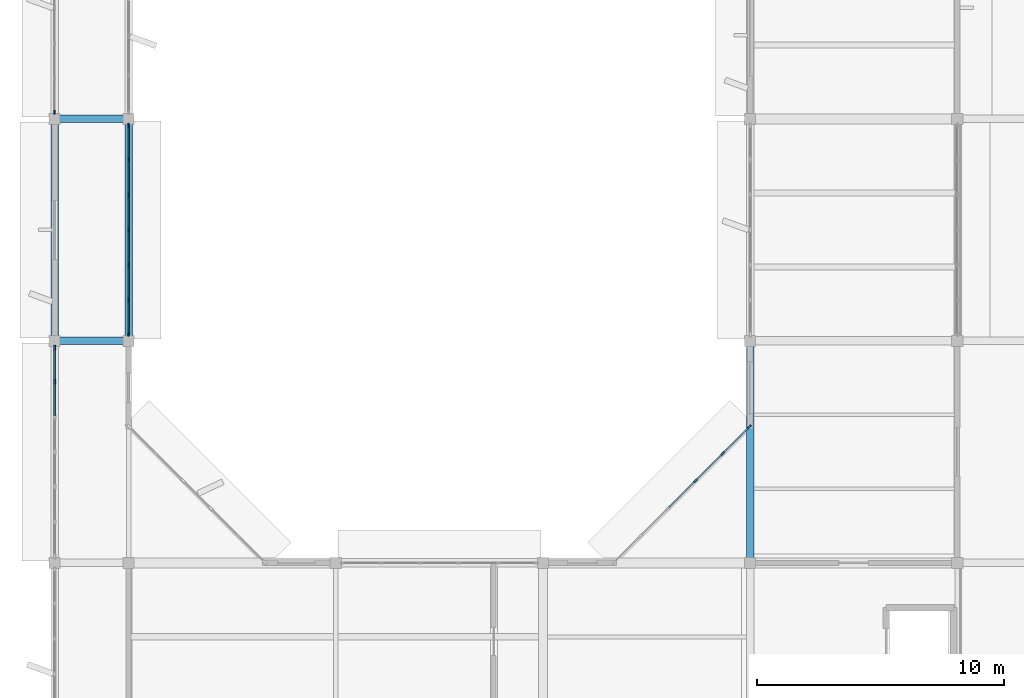
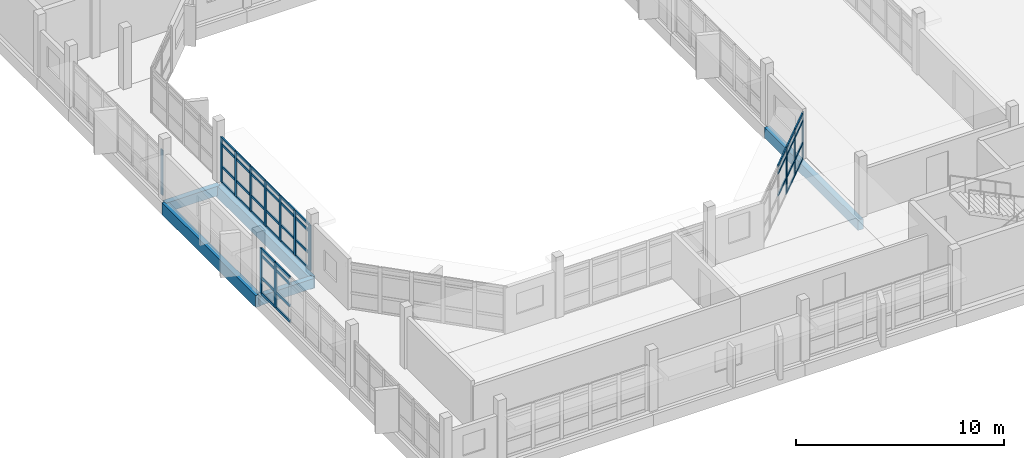
# One storey, part 5 of 42: 56 members, 5 beams, 4 elements without a shape of their own.
"""IFC4 building model written with IfcOpenShell, lengths in metres."""

import ifcopenshell
import ifcopenshell.guid

model = None  # the IFC model being written
_history = None  # IfcOwnerHistory: only IFC2X3 demands one
_inside = {}  # id of a spatial element -> (the spatial element, [elements in it])
_under = {}  # id of a project, library or spatial element -> (it, [spatial elements below it])
_declared = {}  # id of a project -> (the project, [libraries it declares])
_typed = {}  # id of a type object -> (the type object, [elements of that type])
_made_of = {}  # id of a material, layer set ... -> (it, [elements and type objects made of it])


def new_model(schema):
    """Start an empty IFC model of exactly this schema.

    Asked for "IFC4X3", IfcOpenShell would pick the latest addendum, in which some entities
    have other attributes; the version numbers below select the first issue.
    IFC2X3 requires an IfcOwnerHistory on every rooted entity: one is made here for all.
    """
    global model, _history
    if schema == "IFC4X3":
        model = ifcopenshell.file(schema_version=(4, 3, 0, 0))
    else:
        model = ifcopenshell.file(schema=schema)
    _inside.clear()
    _under.clear()
    _declared.clear()
    _typed.clear()
    _made_of.clear()
    _history = None
    if model.schema == "IFC2X3":
        org = make("IfcOrganization", Name="unknown")
        user = make(
            "IfcPersonAndOrganization",
            ThePerson=make("IfcPerson", FamilyName="unknown"),
            TheOrganization=org,
        )
        app = make(
            "IfcApplication",
            ApplicationDeveloper=org,
            Version="unknown",
            ApplicationFullName="unknown",
            ApplicationIdentifier="unknown",
        )
        _history = make(
            "IfcOwnerHistory",
            OwningUser=user,
            OwningApplication=app,
            ChangeAction="ADDED",
            CreationDate=0,
        )
    return model


def make(cls, **values):
    """One entity of the class cls with the attributes given. An attribute that is None is left unset."""
    return model.create_entity(
        cls, **{name: value for name, value in values.items() if value is not None}
    )


def rooted(cls, **values):
    """An entity with a GlobalId (a new one), such as an element, a storey or a relation."""
    return make(cls, GlobalId=ifcopenshell.guid.new(), OwnerHistory=_history, **values)


def si_unit(unit_type, name, prefix=None):
    """IfcSIUnit, for example si_unit("LENGTHUNIT", "METRE", prefix="MILLI")."""
    return make("IfcSIUnit", UnitType=unit_type, Prefix=prefix, Name=name)


def assignment(units):
    """IfcUnitAssignment: the units of a project."""
    return None if units is None else make("IfcUnitAssignment", Units=units)


def point(xyz):
    """IfcCartesianPoint."""
    return None if xyz is None else make("IfcCartesianPoint", Coordinates=xyz)


def direction(xyz):
    """IfcDirection."""
    return None if xyz is None else make("IfcDirection", DirectionRatios=xyz)


def frame(location, z_axis=None, x_axis=None):
    """IfcAxis2Placement3D, a coordinate frame: its origin and axes. An axis left out is left unset."""
    return make(
        "IfcAxis2Placement3D",
        Location=point(location),
        Axis=direction(z_axis),
        RefDirection=direction(x_axis),
    )


def frame_2d(location, x_axis=None):
    """IfcAxis2Placement2D, a coordinate frame in the plane: its origin and x axis."""
    return make(
        "IfcAxis2Placement2D", Location=point(location), RefDirection=direction(x_axis)
    )


def origin():
    """The frame at (0, 0, 0) with its axes left unset."""
    return frame((0.0, 0.0, 0.0))


def origin_2d():
    """The frame at (0, 0) in the plane with its x axis left unset."""
    return frame_2d((0.0, 0.0))


def place(relative_to, where):
    """IfcLocalPlacement: puts the frame where relative to a parent placement (None: the world)."""
    return make(
        "IfcLocalPlacement", PlacementRelTo=relative_to, RelativePlacement=where
    )


def context(
    kind, dimensions, precision=None, world=None, true_north=None, identifier=None
):
    """IfcGeometricRepresentationContext, for example the 3D "Model" context."""
    return make(
        "IfcGeometricRepresentationContext",
        ContextIdentifier=identifier,
        ContextType=kind,
        CoordinateSpaceDimension=dimensions,
        Precision=precision,
        WorldCoordinateSystem=world,
        TrueNorth=true_north,
    )


def subcontext(parent, identifier, kind, view, scale=None):
    """IfcGeometricRepresentationSubContext, for example "Body" below "Model"."""
    return make(
        "IfcGeometricRepresentationSubContext",
        ContextIdentifier=identifier,
        ContextType=kind,
        ParentContext=parent,
        TargetScale=scale,
        TargetView=view,
    )


def project(units=None, contexts=None):
    """IfcProject with its units and contexts."""
    return rooted(
        "IfcProject",
        Name="project",
        RepresentationContexts=contexts,
        UnitsInContext=assignment(units),
    )


def spatial(cls, under=None, at=None, **own):
    """A site, building, storey or space (cls), placed at a placement, below another one or the project."""
    s = rooted(cls, ObjectPlacement=at, **own)
    if under is not None:
        _under.setdefault(under.id(), (under, []))[1].append(s)
    return s


def profile(cls, at=None, kind="AREA", **sizes):
    """A parametric profile (cls). Its sizes go by their IFC names, for example OverallWidth=200.0."""
    return make(cls, ProfileType=kind, Position=at, **sizes)


def rectangle(**sizes):
    """IfcRectangleProfileDef."""
    return profile("IfcRectangleProfileDef", **sizes)


def extrude(swept, where, along, depth):
    """IfcExtrudedAreaSolid: the profile swept, set in the frame where, extruded along a direction by depth."""
    return make(
        "IfcExtrudedAreaSolid",
        SweptArea=swept,
        Position=where,
        ExtrudedDirection=direction(along),
        Depth=depth,
    )


def shape(context_of_items, identifier, shape_type, items):
    """IfcShapeRepresentation: the items that make up one representation, for example the "Body"."""
    return make(
        "IfcShapeRepresentation",
        ContextOfItems=context_of_items,
        RepresentationIdentifier=identifier,
        RepresentationType=shape_type,
        Items=items,
    )


def material(Name=None, Category=None):
    """IfcMaterial."""
    return make("IfcMaterial", Name=Name, Category=Category)


def material_profile(
    of_material, cross_section, Name=None, Category=None, Priority=None
):
    """IfcMaterialProfile: a cross section and its material."""
    return make(
        "IfcMaterialProfile",
        Name=Name,
        Material=of_material,
        Profile=cross_section,
        Priority=Priority,
        Category=Category,
    )


def profile_set(profiles, Name=None, composite=None):
    """IfcMaterialProfileSet."""
    return make(
        "IfcMaterialProfileSet",
        Name=Name,
        MaterialProfiles=profiles,
        CompositeProfile=composite,
    )


def made_of(thing, what):
    """Note that an element or type object is made of a material, layer set ...; save() writes the relation."""
    if what is not None:
        _made_of.setdefault(what.id(), (what, []))[1].append(thing)
    return thing


def type_object(cls, material=None, **own):
    """A type object (cls), such as IfcWallType, which elements share."""
    return made_of(rooted(cls, **own), material)


def element(
    cls,
    number,
    at=None,
    inside=None,
    cuts=None,
    type_object=None,
    material=None,
    context=None,
    identifier="Body",
    shape_type=None,
    held_by="IfcProductDefinitionShape",
    body=None,
    shapes=None,
    **own,
):
    """One element of the class cls, such as IfcWall. Its Tag is "e" and its number.

    at: its placement. inside: the storey or other place that contains it. cuts: it is an
    opening in that element (IfcRelVoidsElement). A single representation is given by context,
    identifier, shape_type and body (its items); several are given by shapes. held_by: the class
    of the entity that holds the representations. save() writes the other relations.
    """
    e = rooted(cls, Tag="e%d" % number, ObjectPlacement=at, **own)
    if body is not None:
        shapes = [shape(context, identifier, shape_type, body)]
    if shapes is not None:
        e.Representation = make(held_by, Representations=shapes)
    if inside is not None:
        _inside.setdefault(inside.id(), (inside, []))[1].append(e)
    if cuts is not None:
        rooted(
            "IfcRelVoidsElement", RelatingBuildingElement=cuts, RelatedOpeningElement=e
        )
    if type_object is not None:
        _typed.setdefault(type_object.id(), (type_object, []))[1].append(e)
    return made_of(e, material)


def aggregate(whole, parts):
    """IfcRelAggregates: a whole, such as a stair, and the parts it consists of."""
    return rooted("IfcRelAggregates", RelatingObject=whole, RelatedObjects=parts)


def save(model, path):
    """Write the relations noted so far, then the file.

    IfcRelAggregates (storeys below a building ...), IfcRelContainedInSpatialStructure (elements
    in a storey), IfcRelDefinesByType, IfcRelAssociatesMaterial and IfcRelDeclares: one each for
    every whole, place, type object, material and project.
    """
    for whole, parts in _under.values():
        aggregate(whole, parts)
    for where, things in _inside.values():
        rooted(
            "IfcRelContainedInSpatialStructure",
            RelatedElements=things,
            RelatingStructure=where,
        )
    for kind, things in _typed.values():
        rooted("IfcRelDefinesByType", RelatedObjects=things, RelatingType=kind)
    for what, things in _made_of.values():
        rooted("IfcRelAssociatesMaterial", RelatedObjects=things, RelatingMaterial=what)
    for by, libraries in _declared.values():
        rooted("IfcRelDeclares", RelatingContext=by, RelatedDefinitions=libraries)
    model.write(path)


model = new_model("IFC4")

# Units and contexts
model_context = context("Model", 3, precision=1e-05, world=origin(), true_north=direction((0.0, 1.0)))
body_context = subcontext(model_context, "Body", "Model", "MODEL_VIEW")
ifc_project = project(units=[si_unit("LENGTHUNIT", "METRE"), si_unit("AREAUNIT", "SQUARE_METRE"), si_unit("VOLUMEUNIT", "CUBIC_METRE"), si_unit("PLANEANGLEUNIT", "RADIAN"), si_unit("MASSUNIT", "GRAM", prefix="KILO")], contexts=[model_context])

# Site, building, storey
site_placement = place(None, origin())
site = spatial("IfcSite", under=ifc_project, at=site_placement, CompositionType="ELEMENT")
building_placement = place(site_placement, origin())
building = spatial("IfcBuilding", under=site, at=building_placement, Name="Vanh Quang Courtyard School", CompositionType="ELEMENT")
storey_placement = place(building_placement, frame((0.0, 0.0, 15.0)))
storey = spatial("IfcBuildingStorey", under=building, at=storey_placement, Name="L04", CompositionType="ELEMENT", Elevation=15.0)

# Beams
ifc_material_1 = material(Name="Concrete C35/45", Category="concrete")
ifc_material_profile_1 = material_profile(ifc_material_1, rectangle(XDim=0.300048828125, YDim=0.550048828125, at=origin_2d()), Name="RC-BM 300x550")
ifc_profile_set_1 = profile_set([ifc_material_profile_1], Name="Concrete C35/45")
beam_type_1 = type_object("IfcBeamType", Name="BM-RC-300x550", PredefinedType="BEAM", material=ifc_profile_set_1)
for number, where, z_axis, x_axis, name in (
    (1, (37.800048828125, 50.39990234375, -0.534912109375), (1.0, 0.0, 0.0), (0.0, 1.0, 0.0), "Beam B-07 (L04)"),
    (2, (37.800048828125, 59.39990234375, -0.534912109375), (1.0, 0.0, 0.0), (0.0, 1.0, 0.0), "Beam B-07 (L04)"),
):
    element("IfcBeam", number, at=place(storey_placement, frame(where, z_axis=z_axis, x_axis=x_axis)), inside=storey, type_object=beam_type_1, Name=name, PredefinedType="BEAM", context=body_context, shape_type="SweptSolid", body=[
        extrude(rectangle(XDim=0.300048828125, YDim=0.550048828125, at=origin_2d()), origin(), (0.0, 0.0, 1.0), 3.0),
    ])
ifc_material_profile_2 = material_profile(ifc_material_1, rectangle(XDim=0.300048828125, YDim=0.60009765625, at=origin_2d()), Name="RC-BM 300x600")
ifc_profile_set_2 = profile_set([ifc_material_profile_2], Name="Concrete C35/45")
beam_type_2 = type_object("IfcBeamType", Name="BM-RC-300x600", PredefinedType="BEAM", material=ifc_profile_set_2)
beam_placement = place(storey_placement, frame((66.0, 41.39990234375, -0.56005859375), z_axis=(0.0, 1.0, 0.0), x_axis=(-1.0, 0.0, 0.0)))
element("IfcBeam", 3, at=beam_placement, inside=storey, type_object=beam_type_2, Name="Beam B-06 (L04)", PredefinedType="BEAM", context=body_context, shape_type="SweptSolid", body=[
    extrude(rectangle(XDim=0.300048828125, YDim=0.60009765625, at=origin_2d()), origin(), (0.0, 0.0, 1.0), 9.0),
])
ifc_material_profile_3 = material_profile(ifc_material_1, rectangle(XDim=0.300048828125, YDim=0.699951171875, at=origin_2d()), Name="RC-SP 300x700")
ifc_profile_set_3 = profile_set([ifc_material_profile_3], Name="Concrete C35/45")
beam_type_3 = type_object("IfcBeamType", Name="BM-SP-300x700", PredefinedType="SPANDREL", material=ifc_profile_set_3)
for number, where, z_axis, x_axis, name in (
    (4, (37.800048828125, 50.39990234375, -0.610107421875), (0.0, 1.0, 0.0), (-1.0, 0.0, 0.0), "Beam BS-01 (L04)"),
    (5, (40.800048828125, 50.39990234375, -0.610107421875), (0.0, 1.0, 0.0), (-1.0, 0.0, 0.0), "Beam BS-01 (L04)"),
):
    element("IfcBeam", number, at=place(storey_placement, frame(where, z_axis=z_axis, x_axis=x_axis)), inside=storey, type_object=beam_type_3, Name=name, PredefinedType="SPANDREL", context=body_context, shape_type="SweptSolid", body=[
        extrude(rectangle(XDim=0.300048828125, YDim=0.699951171875, at=origin_2d()), origin(), (0.0, 0.0, 1.0), 9.0),
    ])

# Curtain wall, member
ifc_material_2 = material(Name="Thermally broken aluminium unitised curtain wall", Category="aluminium")
curtain_wall_type_1 = type_object("IfcCurtainWallType", Name="CW-SYS-50", PredefinedType="NOTDEFINED", material=ifc_material_2)
curtain_wall_1_placement = place(storey_placement, origin())
curtain_wall_1 = element("IfcCurtainWall", 6, at=curtain_wall_1_placement, inside=storey, type_object=curtain_wall_type_1, Name="Curtain Wall CW-50 (L04)", PredefinedType="NOTDEFINED")
ifc_material_3 = material(Name="Anodised aluminium 6063-T6", Category="aluminium")
ifc_material_profile_4 = material_profile(ifc_material_3, rectangle(XDim=0.06005859375, YDim=0.159912109375, at=origin_2d()), Name="ALU-MUL 60x160")
ifc_profile_set_4 = profile_set([ifc_material_profile_4], Name="Anodised aluminium 6063-T6")
member_type_1 = type_object("IfcMemberType", Name="CW-MUL-60x160", PredefinedType="MULLION", material=ifc_profile_set_4)
member_1_placement = place(storey_placement, frame((37.800048828125, 59.6630859375, 0.0), z_axis=(0.0, 0.0, 1.0), x_axis=(-1.0, 0.0, 0.0)))
member_1 = element("IfcMember", 7, at=member_1_placement, type_object=member_type_1, Name="CW-50 mullion 1", PredefinedType="MULLION", context=body_context, shape_type="SweptSolid", body=[
    extrude(rectangle(XDim=0.06005859375, YDim=0.159912109375, at=origin_2d()), origin(), (0.0, 0.0, 1.0), 2.64990234375),
])
aggregate(curtain_wall_1, [member_1])

# Curtain wall, members
curtain_wall_2_placement = place(storey_placement, origin())
curtain_wall_2 = element("IfcCurtainWall", 8, at=curtain_wall_2_placement, inside=storey, type_object=curtain_wall_type_1, Name="Curtain Wall CW-50 (L04)", PredefinedType="NOTDEFINED")
ifc_material_profile_5 = material_profile(ifc_material_3, rectangle(XDim=0.070068359375, YDim=0.179931640625, at=origin_2d()), Name="ALU-MUL 70x180")
ifc_profile_set_5 = profile_set([ifc_material_profile_5], Name="Anodised aluminium 6063-T6")
member_type_2 = type_object("IfcMemberType", Name="CW-MUL-70x180", PredefinedType="MULLION", material=ifc_profile_set_5)
member_2_placement = place(storey_placement, frame((40.800048828125, 59.132080078125, 0.0), z_axis=(0.0, 0.0, 1.0), x_axis=(1.0, 0.0, 0.0)))
member_2 = element("IfcMember", 9, at=member_2_placement, type_object=member_type_2, Name="CW-50 mullion 1", PredefinedType="MULLION", context=body_context, shape_type="SweptSolid", body=[
    extrude(rectangle(XDim=0.070068359375, YDim=0.179931640625, at=origin_2d()), origin(), (0.0, 0.0, 1.0), 2.64990234375),
])
member_3_placement = place(storey_placement, frame((40.800048828125, 57.74462890625, 0.0), z_axis=(0.0, 0.0, 1.0), x_axis=(1.0, 0.0, 0.0)))
member_3 = element("IfcMember", 10, at=member_3_placement, type_object=member_type_2, Name="CW-50 mullion 2", PredefinedType="MULLION", context=body_context, shape_type="SweptSolid", body=[
    extrude(rectangle(XDim=0.070068359375, YDim=0.179931640625, at=origin_2d()), origin(), (0.0, 0.0, 1.0), 2.64990234375),
])
member_4_placement = place(storey_placement, frame((40.800048828125, 56.322265625, 0.0), z_axis=(0.0, 0.0, 1.0), x_axis=(1.0, 0.0, 0.0)))
member_4 = element("IfcMember", 11, at=member_4_placement, type_object=member_type_2, Name="CW-50 mullion 3", PredefinedType="MULLION", context=body_context, shape_type="SweptSolid", body=[
    extrude(rectangle(XDim=0.070068359375, YDim=0.179931640625, at=origin_2d()), origin(), (0.0, 0.0, 1.0), 2.64990234375),
])
member_5_placement = place(storey_placement, frame((40.800048828125, 54.89990234375, 0.0), z_axis=(0.0, 0.0, 1.0), x_axis=(1.0, 0.0, 0.0)))
member_5 = element("IfcMember", 12, at=member_5_placement, type_object=member_type_2, Name="CW-50 mullion 4", PredefinedType="MULLION", context=body_context, shape_type="SweptSolid", body=[
    extrude(rectangle(XDim=0.070068359375, YDim=0.179931640625, at=origin_2d()), origin(), (0.0, 0.0, 1.0), 2.64990234375),
])
member_6_placement = place(storey_placement, frame((40.800048828125, 53.477783203125, 0.0), z_axis=(0.0, 0.0, 1.0), x_axis=(1.0, 0.0, 0.0)))
member_6 = element("IfcMember", 13, at=member_6_placement, type_object=member_type_2, Name="CW-50 mullion 5", PredefinedType="MULLION", context=body_context, shape_type="SweptSolid", body=[
    extrude(rectangle(XDim=0.070068359375, YDim=0.179931640625, at=origin_2d()), origin(), (0.0, 0.0, 1.0), 2.64990234375),
])
member_7_placement = place(storey_placement, frame((40.800048828125, 52.055419921875, 0.0), z_axis=(0.0, 0.0, 1.0), x_axis=(1.0, 0.0, 0.0)))
member_7 = element("IfcMember", 14, at=member_7_placement, type_object=member_type_2, Name="CW-50 mullion 6", PredefinedType="MULLION", context=body_context, shape_type="SweptSolid", body=[
    extrude(rectangle(XDim=0.070068359375, YDim=0.179931640625, at=origin_2d()), origin(), (0.0, 0.0, 1.0), 2.64990234375),
])
member_8_placement = place(storey_placement, frame((40.800048828125, 50.66796875, 0.0), z_axis=(0.0, 0.0, 1.0), x_axis=(1.0, 0.0, 0.0)))
member_8 = element("IfcMember", 15, at=member_8_placement, type_object=member_type_2, Name="CW-50 mullion 7", PredefinedType="MULLION", context=body_context, shape_type="SweptSolid", body=[
    extrude(rectangle(XDim=0.070068359375, YDim=0.179931640625, at=origin_2d()), origin(), (0.0, 0.0, 1.0), 2.64990234375),
])

curtain_wall_type_2 = type_object("IfcCurtainWallType", Name="CW-SYS-51", PredefinedType="NOTDEFINED", material=ifc_material_2)
curtain_wall_3_placement = place(storey_placement, origin())
curtain_wall_3 = element("IfcCurtainWall", 16, at=curtain_wall_3_placement, inside=storey, type_object=curtain_wall_type_2, Name="Curtain Wall CW-51 (L04)", PredefinedType="NOTDEFINED")
member_9_placement = place(storey_placement, frame((63.782470703125, 44.726318359375, 0.0), z_axis=(0.0, 0.0, 1.0), x_axis=(-0.707106781187, 0.707106781187, 0.0)))
member_9 = element("IfcMember", 17, at=member_9_placement, type_object=member_type_2, Name="CW-51 mullion 4", PredefinedType="MULLION", context=body_context, shape_type="SweptSolid", body=[
    extrude(rectangle(XDim=0.070068359375, YDim=0.179931640625, at=origin_2d()), origin(), (0.0, 0.0, 1.0), 2.699951171875),
])
member_10_placement = place(storey_placement, frame((64.89111328125, 45.835205078125, 0.0), z_axis=(0.0, 0.0, 1.0), x_axis=(-0.707106781187, 0.707106781187, 0.0)))
member_10 = element("IfcMember", 18, at=member_10_placement, type_object=member_type_2, Name="CW-51 mullion 5", PredefinedType="MULLION", context=body_context, shape_type="SweptSolid", body=[
    extrude(rectangle(XDim=0.070068359375, YDim=0.179931640625, at=origin_2d()), origin(), (0.0, 0.0, 1.0), 2.699951171875),
])
member_11_placement = place(storey_placement, frame((65.975341796875, 46.919189453125, 0.0), z_axis=(0.0, 0.0, 1.0), x_axis=(-0.707106781187, 0.707106781187, 0.0)))
member_11 = element("IfcMember", 19, at=member_11_placement, type_object=member_type_2, Name="CW-51 mullion 6", PredefinedType="MULLION", context=body_context, shape_type="SweptSolid", body=[
    extrude(rectangle(XDim=0.070068359375, YDim=0.179931640625, at=origin_2d()), origin(), (0.0, 0.0, 1.0), 2.699951171875),
])

curtain_wall_4_placement = place(storey_placement, origin())
curtain_wall_4 = element("IfcCurtainWall", 20, at=curtain_wall_4_placement, inside=storey, type_object=curtain_wall_type_1, Name="Curtain Wall CW-50 (L04)", PredefinedType="NOTDEFINED")
ifc_material_profile_6 = material_profile(ifc_material_3, rectangle(XDim=0.080078125, YDim=0.199951171875, at=origin_2d()), Name="ALU-MUL 80x200")
ifc_profile_set_6 = profile_set([ifc_material_profile_6], Name="Anodised aluminium 6063-T6")
member_type_3 = type_object("IfcMemberType", Name="CW-MUL-80x200", PredefinedType="MULLION", material=ifc_profile_set_6)
member_12_placement = place(storey_placement, frame((37.800048828125, 48.74462890625, 0.0), z_axis=(0.0, 0.0, 1.0), x_axis=(-1.0, 0.0, 0.0)))
member_12 = element("IfcMember", 21, at=member_12_placement, type_object=member_type_3, Name="CW-50 mullion 6", PredefinedType="MULLION", context=body_context, shape_type="SweptSolid", body=[
    extrude(rectangle(XDim=0.080078125, YDim=0.199951171875, at=origin_2d()), origin(), (0.0, 0.0, 1.0), 2.64990234375),
])
member_13_placement = place(storey_placement, frame((37.800048828125, 50.126953125, 0.0), z_axis=(0.0, 0.0, 1.0), x_axis=(-1.0, 0.0, 0.0)))
member_13 = element("IfcMember", 22, at=member_13_placement, type_object=member_type_3, Name="CW-50 mullion 7", PredefinedType="MULLION", context=body_context, shape_type="SweptSolid", body=[
    extrude(rectangle(XDim=0.080078125, YDim=0.199951171875, at=origin_2d()), origin(), (0.0, 0.0, 1.0), 2.64990234375),
])

# Member
ifc_material_profile_7 = material_profile(ifc_material_3, rectangle(XDim=0.070068359375, YDim=0.139892578125, at=origin_2d()), Name="ALU-TRN 70x140")
ifc_profile_set_7 = profile_set([ifc_material_profile_7], Name="Anodised aluminium 6063-T6")
member_type_4 = type_object("IfcMemberType", Name="CW-TRN-70x140", PredefinedType="USERDEFINED", material=ifc_profile_set_7)
member_14_placement = place(storey_placement, frame((40.800048828125, 59.096923828125, 0.034912109375), z_axis=(0.0, -1.0, 0.0), x_axis=(1.0, 0.0, 0.0)))
member_14 = element("IfcMember", 23, at=member_14_placement, type_object=member_type_4, Name="CW-50 transom 1.1", ObjectType="TRANSOM", PredefinedType="USERDEFINED", context=body_context, shape_type="SweptSolid", body=[
    extrude(rectangle(XDim=0.070068359375, YDim=0.139892578125, at=origin_2d()), origin(), (0.0, 0.0, 1.0), 1.317138671875),
])

member_15_placement = place(storey_placement, frame((40.800048828125, 59.096923828125, 0.949951171875), z_axis=(0.0, -1.0, 0.0), x_axis=(1.0, 0.0, 0.0)))
member_15 = element("IfcMember", 24, at=member_15_placement, type_object=member_type_4, Name="CW-50 transom 1.2", ObjectType="TRANSOM", PredefinedType="USERDEFINED", context=body_context, shape_type="SweptSolid", body=[
    extrude(rectangle(XDim=0.070068359375, YDim=0.139892578125, at=origin_2d()), origin(), (0.0, 0.0, 1.0), 1.317138671875),
])

member_16_placement = place(storey_placement, frame((40.800048828125, 59.096923828125, 2.25), z_axis=(0.0, -1.0, 0.0), x_axis=(1.0, 0.0, 0.0)))
member_16 = element("IfcMember", 25, at=member_16_placement, type_object=member_type_4, Name="CW-50 transom 1.3", ObjectType="TRANSOM", PredefinedType="USERDEFINED", context=body_context, shape_type="SweptSolid", body=[
    extrude(rectangle(XDim=0.070068359375, YDim=0.139892578125, at=origin_2d()), origin(), (0.0, 0.0, 1.0), 1.317138671875),
])

member_17_placement = place(storey_placement, frame((40.800048828125, 59.096923828125, 2.614990234375), z_axis=(0.0, -1.0, 0.0), x_axis=(1.0, 0.0, 0.0)))
member_17 = element("IfcMember", 26, at=member_17_placement, type_object=member_type_4, Name="CW-50 transom 1.4", ObjectType="TRANSOM", PredefinedType="USERDEFINED", context=body_context, shape_type="SweptSolid", body=[
    extrude(rectangle(XDim=0.070068359375, YDim=0.139892578125, at=origin_2d()), origin(), (0.0, 0.0, 1.0), 1.317138671875),
])

member_18_placement = place(storey_placement, frame((40.800048828125, 57.709716796875, 0.034912109375), z_axis=(0.0, -1.0, 0.0), x_axis=(1.0, 0.0, 0.0)))
member_18 = element("IfcMember", 27, at=member_18_placement, type_object=member_type_4, Name="CW-50 transom 2.1", ObjectType="TRANSOM", PredefinedType="USERDEFINED", context=body_context, shape_type="SweptSolid", body=[
    extrude(rectangle(XDim=0.070068359375, YDim=0.139892578125, at=origin_2d()), origin(), (0.0, 0.0, 1.0), 1.352294921875),
])

member_19_placement = place(storey_placement, frame((40.800048828125, 57.709716796875, 0.949951171875), z_axis=(0.0, -1.0, 0.0), x_axis=(1.0, 0.0, 0.0)))
member_19 = element("IfcMember", 28, at=member_19_placement, type_object=member_type_4, Name="CW-50 transom 2.2", ObjectType="TRANSOM", PredefinedType="USERDEFINED", context=body_context, shape_type="SweptSolid", body=[
    extrude(rectangle(XDim=0.070068359375, YDim=0.139892578125, at=origin_2d()), origin(), (0.0, 0.0, 1.0), 1.352294921875),
])

member_20_placement = place(storey_placement, frame((40.800048828125, 57.709716796875, 2.25), z_axis=(0.0, -1.0, 0.0), x_axis=(1.0, 0.0, 0.0)))
member_20 = element("IfcMember", 29, at=member_20_placement, type_object=member_type_4, Name="CW-50 transom 2.3", ObjectType="TRANSOM", PredefinedType="USERDEFINED", context=body_context, shape_type="SweptSolid", body=[
    extrude(rectangle(XDim=0.070068359375, YDim=0.139892578125, at=origin_2d()), origin(), (0.0, 0.0, 1.0), 1.352294921875),
])

member_21_placement = place(storey_placement, frame((40.800048828125, 57.709716796875, 2.614990234375), z_axis=(0.0, -1.0, 0.0), x_axis=(1.0, 0.0, 0.0)))
member_21 = element("IfcMember", 30, at=member_21_placement, type_object=member_type_4, Name="CW-50 transom 2.4", ObjectType="TRANSOM", PredefinedType="USERDEFINED", context=body_context, shape_type="SweptSolid", body=[
    extrude(rectangle(XDim=0.070068359375, YDim=0.139892578125, at=origin_2d()), origin(), (0.0, 0.0, 1.0), 1.352294921875),
])

member_22_placement = place(storey_placement, frame((40.800048828125, 56.287353515625, 0.034912109375), z_axis=(0.0, -1.0, 0.0), x_axis=(1.0, 0.0, 0.0)))
member_22 = element("IfcMember", 31, at=member_22_placement, type_object=member_type_4, Name="CW-50 transom 3.1", ObjectType="TRANSOM", PredefinedType="USERDEFINED", context=body_context, shape_type="SweptSolid", body=[
    extrude(rectangle(XDim=0.070068359375, YDim=0.139892578125, at=origin_2d()), origin(), (0.0, 0.0, 1.0), 1.352294921875),
])

member_23_placement = place(storey_placement, frame((40.800048828125, 56.287353515625, 0.949951171875), z_axis=(0.0, -1.0, 0.0), x_axis=(1.0, 0.0, 0.0)))
member_23 = element("IfcMember", 32, at=member_23_placement, type_object=member_type_4, Name="CW-50 transom 3.2", ObjectType="TRANSOM", PredefinedType="USERDEFINED", context=body_context, shape_type="SweptSolid", body=[
    extrude(rectangle(XDim=0.070068359375, YDim=0.139892578125, at=origin_2d()), origin(), (0.0, 0.0, 1.0), 1.352294921875),
])

member_24_placement = place(storey_placement, frame((40.800048828125, 56.287353515625, 2.25), z_axis=(0.0, -1.0, 0.0), x_axis=(1.0, 0.0, 0.0)))
member_24 = element("IfcMember", 33, at=member_24_placement, type_object=member_type_4, Name="CW-50 transom 3.3", ObjectType="TRANSOM", PredefinedType="USERDEFINED", context=body_context, shape_type="SweptSolid", body=[
    extrude(rectangle(XDim=0.070068359375, YDim=0.139892578125, at=origin_2d()), origin(), (0.0, 0.0, 1.0), 1.352294921875),
])

member_25_placement = place(storey_placement, frame((40.800048828125, 56.287353515625, 2.614990234375), z_axis=(0.0, -1.0, 0.0), x_axis=(1.0, 0.0, 0.0)))
member_25 = element("IfcMember", 34, at=member_25_placement, type_object=member_type_4, Name="CW-50 transom 3.4", ObjectType="TRANSOM", PredefinedType="USERDEFINED", context=body_context, shape_type="SweptSolid", body=[
    extrude(rectangle(XDim=0.070068359375, YDim=0.139892578125, at=origin_2d()), origin(), (0.0, 0.0, 1.0), 1.352294921875),
])

member_26_placement = place(storey_placement, frame((40.800048828125, 54.864990234375, 0.034912109375), z_axis=(0.0, -1.0, 0.0), x_axis=(1.0, 0.0, 0.0)))
member_26 = element("IfcMember", 35, at=member_26_placement, type_object=member_type_4, Name="CW-50 transom 4.1", ObjectType="TRANSOM", PredefinedType="USERDEFINED", context=body_context, shape_type="SweptSolid", body=[
    extrude(rectangle(XDim=0.070068359375, YDim=0.139892578125, at=origin_2d()), origin(), (0.0, 0.0, 1.0), 1.352294921875),
])

member_27_placement = place(storey_placement, frame((40.800048828125, 54.864990234375, 0.949951171875), z_axis=(0.0, -1.0, 0.0), x_axis=(1.0, 0.0, 0.0)))
member_27 = element("IfcMember", 36, at=member_27_placement, type_object=member_type_4, Name="CW-50 transom 4.2", ObjectType="TRANSOM", PredefinedType="USERDEFINED", context=body_context, shape_type="SweptSolid", body=[
    extrude(rectangle(XDim=0.070068359375, YDim=0.139892578125, at=origin_2d()), origin(), (0.0, 0.0, 1.0), 1.352294921875),
])

member_28_placement = place(storey_placement, frame((40.800048828125, 54.864990234375, 2.25), z_axis=(0.0, -1.0, 0.0), x_axis=(1.0, 0.0, 0.0)))
member_28 = element("IfcMember", 37, at=member_28_placement, type_object=member_type_4, Name="CW-50 transom 4.3", ObjectType="TRANSOM", PredefinedType="USERDEFINED", context=body_context, shape_type="SweptSolid", body=[
    extrude(rectangle(XDim=0.070068359375, YDim=0.139892578125, at=origin_2d()), origin(), (0.0, 0.0, 1.0), 1.352294921875),
])

member_29_placement = place(storey_placement, frame((40.800048828125, 54.864990234375, 2.614990234375), z_axis=(0.0, -1.0, 0.0), x_axis=(1.0, 0.0, 0.0)))
member_29 = element("IfcMember", 38, at=member_29_placement, type_object=member_type_4, Name="CW-50 transom 4.4", ObjectType="TRANSOM", PredefinedType="USERDEFINED", context=body_context, shape_type="SweptSolid", body=[
    extrude(rectangle(XDim=0.070068359375, YDim=0.139892578125, at=origin_2d()), origin(), (0.0, 0.0, 1.0), 1.352294921875),
])

member_30_placement = place(storey_placement, frame((40.800048828125, 53.442626953125, 0.034912109375), z_axis=(0.0, -1.0, 0.0), x_axis=(1.0, 0.0, 0.0)))
member_30 = element("IfcMember", 39, at=member_30_placement, type_object=member_type_4, Name="CW-50 transom 5.1", ObjectType="TRANSOM", PredefinedType="USERDEFINED", context=body_context, shape_type="SweptSolid", body=[
    extrude(rectangle(XDim=0.070068359375, YDim=0.139892578125, at=origin_2d()), origin(), (0.0, 0.0, 1.0), 1.352294921875),
])

member_31_placement = place(storey_placement, frame((40.800048828125, 53.442626953125, 0.949951171875), z_axis=(0.0, -1.0, 0.0), x_axis=(1.0, 0.0, 0.0)))
member_31 = element("IfcMember", 40, at=member_31_placement, type_object=member_type_4, Name="CW-50 transom 5.2", ObjectType="TRANSOM", PredefinedType="USERDEFINED", context=body_context, shape_type="SweptSolid", body=[
    extrude(rectangle(XDim=0.070068359375, YDim=0.139892578125, at=origin_2d()), origin(), (0.0, 0.0, 1.0), 1.352294921875),
])

member_32_placement = place(storey_placement, frame((40.800048828125, 53.442626953125, 2.25), z_axis=(0.0, -1.0, 0.0), x_axis=(1.0, 0.0, 0.0)))
member_32 = element("IfcMember", 41, at=member_32_placement, type_object=member_type_4, Name="CW-50 transom 5.3", ObjectType="TRANSOM", PredefinedType="USERDEFINED", context=body_context, shape_type="SweptSolid", body=[
    extrude(rectangle(XDim=0.070068359375, YDim=0.139892578125, at=origin_2d()), origin(), (0.0, 0.0, 1.0), 1.352294921875),
])

member_33_placement = place(storey_placement, frame((40.800048828125, 53.442626953125, 2.614990234375), z_axis=(0.0, -1.0, 0.0), x_axis=(1.0, 0.0, 0.0)))
member_33 = element("IfcMember", 42, at=member_33_placement, type_object=member_type_4, Name="CW-50 transom 5.4", ObjectType="TRANSOM", PredefinedType="USERDEFINED", context=body_context, shape_type="SweptSolid", body=[
    extrude(rectangle(XDim=0.070068359375, YDim=0.139892578125, at=origin_2d()), origin(), (0.0, 0.0, 1.0), 1.352294921875),
])

member_34_placement = place(storey_placement, frame((40.800048828125, 52.020263671875, 0.034912109375), z_axis=(0.0, -1.0, 0.0), x_axis=(1.0, 0.0, 0.0)))
member_34 = element("IfcMember", 43, at=member_34_placement, type_object=member_type_4, Name="CW-50 transom 6.1", ObjectType="TRANSOM", PredefinedType="USERDEFINED", context=body_context, shape_type="SweptSolid", body=[
    extrude(rectangle(XDim=0.070068359375, YDim=0.139892578125, at=origin_2d()), origin(), (0.0, 0.0, 1.0), 1.3173828125),
])

member_35_placement = place(storey_placement, frame((40.800048828125, 52.020263671875, 0.949951171875), z_axis=(0.0, -1.0, 0.0), x_axis=(1.0, 0.0, 0.0)))
member_35 = element("IfcMember", 44, at=member_35_placement, type_object=member_type_4, Name="CW-50 transom 6.2", ObjectType="TRANSOM", PredefinedType="USERDEFINED", context=body_context, shape_type="SweptSolid", body=[
    extrude(rectangle(XDim=0.070068359375, YDim=0.139892578125, at=origin_2d()), origin(), (0.0, 0.0, 1.0), 1.3173828125),
])

member_36_placement = place(storey_placement, frame((40.800048828125, 52.020263671875, 2.25), z_axis=(0.0, -1.0, 0.0), x_axis=(1.0, 0.0, 0.0)))
member_36 = element("IfcMember", 45, at=member_36_placement, type_object=member_type_4, Name="CW-50 transom 6.3", ObjectType="TRANSOM", PredefinedType="USERDEFINED", context=body_context, shape_type="SweptSolid", body=[
    extrude(rectangle(XDim=0.070068359375, YDim=0.139892578125, at=origin_2d()), origin(), (0.0, 0.0, 1.0), 1.3173828125),
])

member_37_placement = place(storey_placement, frame((40.800048828125, 52.020263671875, 2.614990234375), z_axis=(0.0, -1.0, 0.0), x_axis=(1.0, 0.0, 0.0)))
member_37 = element("IfcMember", 46, at=member_37_placement, type_object=member_type_4, Name="CW-50 transom 6.4", ObjectType="TRANSOM", PredefinedType="USERDEFINED", context=body_context, shape_type="SweptSolid", body=[
    extrude(rectangle(XDim=0.070068359375, YDim=0.139892578125, at=origin_2d()), origin(), (0.0, 0.0, 1.0), 1.3173828125),
])

aggregate(curtain_wall_2, [member_2, member_3, member_4, member_5, member_6, member_7, member_8, member_14, member_15, member_16, member_17, member_18, member_19, member_20, member_21, member_22, member_23, member_24, member_25, member_26, member_27, member_28, member_29, member_30, member_31, member_32, member_33, member_34, member_35, member_36, member_37])

member_38_placement = place(storey_placement, frame((62.6982421875, 43.642333984375, 0.949951171875), z_axis=(0.707106781187, 0.707106781187, 0.0), x_axis=(-0.707106781187, 0.707106781187, 0.0)))
member_38 = element("IfcMember", 47, at=member_38_placement, type_object=member_type_4, Name="CW-51 transom 3.2", ObjectType="TRANSOM", PredefinedType="USERDEFINED", context=body_context, shape_type="SweptSolid", body=[
    extrude(rectangle(XDim=0.070068359375, YDim=0.139892578125, at=origin_2d()), origin(), (0.0, 0.0, 1.0), 1.498046875),
])

member_39_placement = place(storey_placement, frame((62.6982421875, 43.642333984375, 2.25), z_axis=(0.707106781187, 0.707106781187, 0.0), x_axis=(-0.707106781187, 0.707106781187, 0.0)))
member_39 = element("IfcMember", 48, at=member_39_placement, type_object=member_type_4, Name="CW-51 transom 3.3", ObjectType="TRANSOM", PredefinedType="USERDEFINED", context=body_context, shape_type="SweptSolid", body=[
    extrude(rectangle(XDim=0.070068359375, YDim=0.139892578125, at=origin_2d()), origin(), (0.0, 0.0, 1.0), 1.498046875),
])

member_40_placement = place(storey_placement, frame((62.6982421875, 43.642333984375, 2.6650390625), z_axis=(0.707106781187, 0.707106781187, 0.0), x_axis=(-0.707106781187, 0.707106781187, 0.0)))
member_40 = element("IfcMember", 49, at=member_40_placement, type_object=member_type_4, Name="CW-51 transom 3.4", ObjectType="TRANSOM", PredefinedType="USERDEFINED", context=body_context, shape_type="SweptSolid", body=[
    extrude(rectangle(XDim=0.070068359375, YDim=0.139892578125, at=origin_2d()), origin(), (0.0, 0.0, 1.0), 1.498046875),
])

member_41_placement = place(storey_placement, frame((63.80712890625, 44.751220703125, 0.034912109375), z_axis=(0.707106781187, 0.707106781187, 0.0), x_axis=(-0.707106781187, 0.707106781187, 0.0)))
member_41 = element("IfcMember", 50, at=member_41_placement, type_object=member_type_4, Name="CW-51 transom 4.1", ObjectType="TRANSOM", PredefinedType="USERDEFINED", context=body_context, shape_type="SweptSolid", body=[
    extrude(rectangle(XDim=0.070068359375, YDim=0.139892578125, at=origin_2d()), origin(), (0.0, 0.0, 1.0), 1.498046875),
])

member_42_placement = place(storey_placement, frame((63.80712890625, 44.751220703125, 0.949951171875), z_axis=(0.707106781187, 0.707106781187, 0.0), x_axis=(-0.707106781187, 0.707106781187, 0.0)))
member_42 = element("IfcMember", 51, at=member_42_placement, type_object=member_type_4, Name="CW-51 transom 4.2", ObjectType="TRANSOM", PredefinedType="USERDEFINED", context=body_context, shape_type="SweptSolid", body=[
    extrude(rectangle(XDim=0.070068359375, YDim=0.139892578125, at=origin_2d()), origin(), (0.0, 0.0, 1.0), 1.498046875),
])

member_43_placement = place(storey_placement, frame((63.80712890625, 44.751220703125, 2.25), z_axis=(0.707106781187, 0.707106781187, 0.0), x_axis=(-0.707106781187, 0.707106781187, 0.0)))
member_43 = element("IfcMember", 52, at=member_43_placement, type_object=member_type_4, Name="CW-51 transom 4.3", ObjectType="TRANSOM", PredefinedType="USERDEFINED", context=body_context, shape_type="SweptSolid", body=[
    extrude(rectangle(XDim=0.070068359375, YDim=0.139892578125, at=origin_2d()), origin(), (0.0, 0.0, 1.0), 1.498046875),
])

member_44_placement = place(storey_placement, frame((63.80712890625, 44.751220703125, 2.6650390625), z_axis=(0.707106781187, 0.707106781187, 0.0), x_axis=(-0.707106781187, 0.707106781187, 0.0)))
member_44 = element("IfcMember", 53, at=member_44_placement, type_object=member_type_4, Name="CW-51 transom 4.4", ObjectType="TRANSOM", PredefinedType="USERDEFINED", context=body_context, shape_type="SweptSolid", body=[
    extrude(rectangle(XDim=0.070068359375, YDim=0.139892578125, at=origin_2d()), origin(), (0.0, 0.0, 1.0), 1.498046875),
])

member_45_placement = place(storey_placement, frame((64.916015625, 45.85986328125, 0.034912109375), z_axis=(0.707023341836, 0.707190210692, 0.0), x_axis=(-0.707190210692, 0.707023341836, 0.0)))
member_45 = element("IfcMember", 54, at=member_45_placement, type_object=member_type_4, Name="CW-51 transom 5.1", ObjectType="TRANSOM", PredefinedType="USERDEFINED", context=body_context, shape_type="SweptSolid", body=[
    extrude(rectangle(XDim=0.070068359375, YDim=0.139892578125, at=origin_2d()), origin(), (0.0, 0.0, 1.0), 1.463134765625),
])

member_46_placement = place(storey_placement, frame((64.916015625, 45.85986328125, 0.949951171875), z_axis=(0.707023341836, 0.707190210692, 0.0), x_axis=(-0.707190210692, 0.707023341836, 0.0)))
member_46 = element("IfcMember", 55, at=member_46_placement, type_object=member_type_4, Name="CW-51 transom 5.2", ObjectType="TRANSOM", PredefinedType="USERDEFINED", context=body_context, shape_type="SweptSolid", body=[
    extrude(rectangle(XDim=0.070068359375, YDim=0.139892578125, at=origin_2d()), origin(), (0.0, 0.0, 1.0), 1.463134765625),
])

member_47_placement = place(storey_placement, frame((64.916015625, 45.85986328125, 2.25), z_axis=(0.707023341836, 0.707190210692, 0.0), x_axis=(-0.707190210692, 0.707023341836, 0.0)))
member_47 = element("IfcMember", 56, at=member_47_placement, type_object=member_type_4, Name="CW-51 transom 5.3", ObjectType="TRANSOM", PredefinedType="USERDEFINED", context=body_context, shape_type="SweptSolid", body=[
    extrude(rectangle(XDim=0.070068359375, YDim=0.139892578125, at=origin_2d()), origin(), (0.0, 0.0, 1.0), 1.463134765625),
])

member_48_placement = place(storey_placement, frame((64.916015625, 45.85986328125, 2.6650390625), z_axis=(0.707023341836, 0.707190210692, 0.0), x_axis=(-0.707190210692, 0.707023341836, 0.0)))
member_48 = element("IfcMember", 57, at=member_48_placement, type_object=member_type_4, Name="CW-51 transom 5.4", ObjectType="TRANSOM", PredefinedType="USERDEFINED", context=body_context, shape_type="SweptSolid", body=[
    extrude(rectangle(XDim=0.070068359375, YDim=0.139892578125, at=origin_2d()), origin(), (0.0, 0.0, 1.0), 1.463134765625),
])

aggregate(curtain_wall_3, [member_9, member_10, member_11, member_38, member_39, member_40, member_41, member_42, member_43, member_44, member_45, member_46, member_47, member_48])

ifc_material_profile_8 = material_profile(ifc_material_3, rectangle(XDim=0.080078125, YDim=0.14990234375, at=origin_2d()), Name="ALU-TRN 80x150")
ifc_profile_set_8 = profile_set([ifc_material_profile_8], Name="Anodised aluminium 6063-T6")
member_type_5 = type_object("IfcMemberType", Name="CW-TRN-80x150", PredefinedType="USERDEFINED", material=ifc_profile_set_8)
member_49_placement = place(storey_placement, frame((37.800048828125, 47.3623046875, 0.0400390625), z_axis=(0.0, 1.0, 0.0), x_axis=(-1.0, 0.0, 0.0)))
member_49 = element("IfcMember", 58, at=member_49_placement, type_object=member_type_5, Name="CW-50 transom 5.1", ObjectType="TRANSOM", PredefinedType="USERDEFINED", context=body_context, shape_type="SweptSolid", body=[
    extrude(rectangle(XDim=0.080078125, YDim=0.14990234375, at=origin_2d()), origin(), (0.0, 0.0, 1.0), 1.34228515625),
])

member_50_placement = place(storey_placement, frame((37.800048828125, 47.3623046875, 0.949951171875), z_axis=(0.0, 1.0, 0.0), x_axis=(-1.0, 0.0, 0.0)))
member_50 = element("IfcMember", 59, at=member_50_placement, type_object=member_type_5, Name="CW-50 transom 5.2", ObjectType="TRANSOM", PredefinedType="USERDEFINED", context=body_context, shape_type="SweptSolid", body=[
    extrude(rectangle(XDim=0.080078125, YDim=0.14990234375, at=origin_2d()), origin(), (0.0, 0.0, 1.0), 1.34228515625),
])

member_51_placement = place(storey_placement, frame((37.800048828125, 47.3623046875, 2.25), z_axis=(0.0, 1.0, 0.0), x_axis=(-1.0, 0.0, 0.0)))
member_51 = element("IfcMember", 60, at=member_51_placement, type_object=member_type_5, Name="CW-50 transom 5.3", ObjectType="TRANSOM", PredefinedType="USERDEFINED", context=body_context, shape_type="SweptSolid", body=[
    extrude(rectangle(XDim=0.080078125, YDim=0.14990234375, at=origin_2d()), origin(), (0.0, 0.0, 1.0), 1.34228515625),
])

member_52_placement = place(storey_placement, frame((37.800048828125, 47.3623046875, 2.610107421875), z_axis=(0.0, 1.0, 0.0), x_axis=(-1.0, 0.0, 0.0)))
member_52 = element("IfcMember", 61, at=member_52_placement, type_object=member_type_5, Name="CW-50 transom 5.4", ObjectType="TRANSOM", PredefinedType="USERDEFINED", context=body_context, shape_type="SweptSolid", body=[
    extrude(rectangle(XDim=0.080078125, YDim=0.14990234375, at=origin_2d()), origin(), (0.0, 0.0, 1.0), 1.34228515625),
])

member_53_placement = place(storey_placement, frame((37.800048828125, 48.78466796875, 0.0400390625), z_axis=(0.0, 1.0, 0.0), x_axis=(-1.0, 0.0, 0.0)))
member_53 = element("IfcMember", 62, at=member_53_placement, type_object=member_type_5, Name="CW-50 transom 6.1", ObjectType="TRANSOM", PredefinedType="USERDEFINED", context=body_context, shape_type="SweptSolid", body=[
    extrude(rectangle(XDim=0.080078125, YDim=0.14990234375, at=origin_2d()), origin(), (0.0, 0.0, 1.0), 1.30224609375),
])

member_54_placement = place(storey_placement, frame((37.800048828125, 48.78466796875, 0.949951171875), z_axis=(0.0, 1.0, 0.0), x_axis=(-1.0, 0.0, 0.0)))
member_54 = element("IfcMember", 63, at=member_54_placement, type_object=member_type_5, Name="CW-50 transom 6.2", ObjectType="TRANSOM", PredefinedType="USERDEFINED", context=body_context, shape_type="SweptSolid", body=[
    extrude(rectangle(XDim=0.080078125, YDim=0.14990234375, at=origin_2d()), origin(), (0.0, 0.0, 1.0), 1.30224609375),
])

member_55_placement = place(storey_placement, frame((37.800048828125, 48.78466796875, 2.25), z_axis=(0.0, 1.0, 0.0), x_axis=(-1.0, 0.0, 0.0)))
member_55 = element("IfcMember", 64, at=member_55_placement, type_object=member_type_5, Name="CW-50 transom 6.3", ObjectType="TRANSOM", PredefinedType="USERDEFINED", context=body_context, shape_type="SweptSolid", body=[
    extrude(rectangle(XDim=0.080078125, YDim=0.14990234375, at=origin_2d()), origin(), (0.0, 0.0, 1.0), 1.30224609375),
])

member_56_placement = place(storey_placement, frame((37.800048828125, 48.78466796875, 2.610107421875), z_axis=(0.0, 1.0, 0.0), x_axis=(-1.0, 0.0, 0.0)))
member_56 = element("IfcMember", 65, at=member_56_placement, type_object=member_type_5, Name="CW-50 transom 6.4", ObjectType="TRANSOM", PredefinedType="USERDEFINED", context=body_context, shape_type="SweptSolid", body=[
    extrude(rectangle(XDim=0.080078125, YDim=0.14990234375, at=origin_2d()), origin(), (0.0, 0.0, 1.0), 1.30224609375),
])

aggregate(curtain_wall_4, [member_12, member_13, member_49, member_50, member_51, member_52, member_53, member_54, member_55, member_56])

save(model, "model.ifc")
